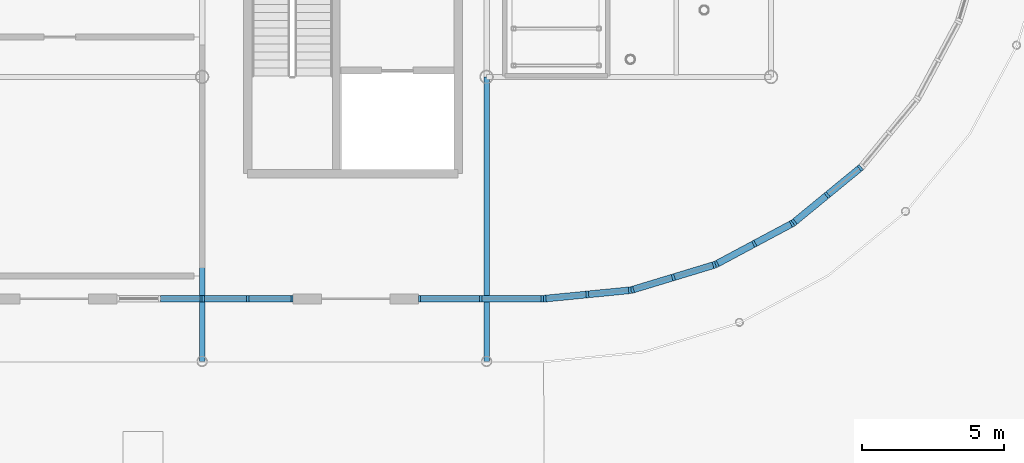
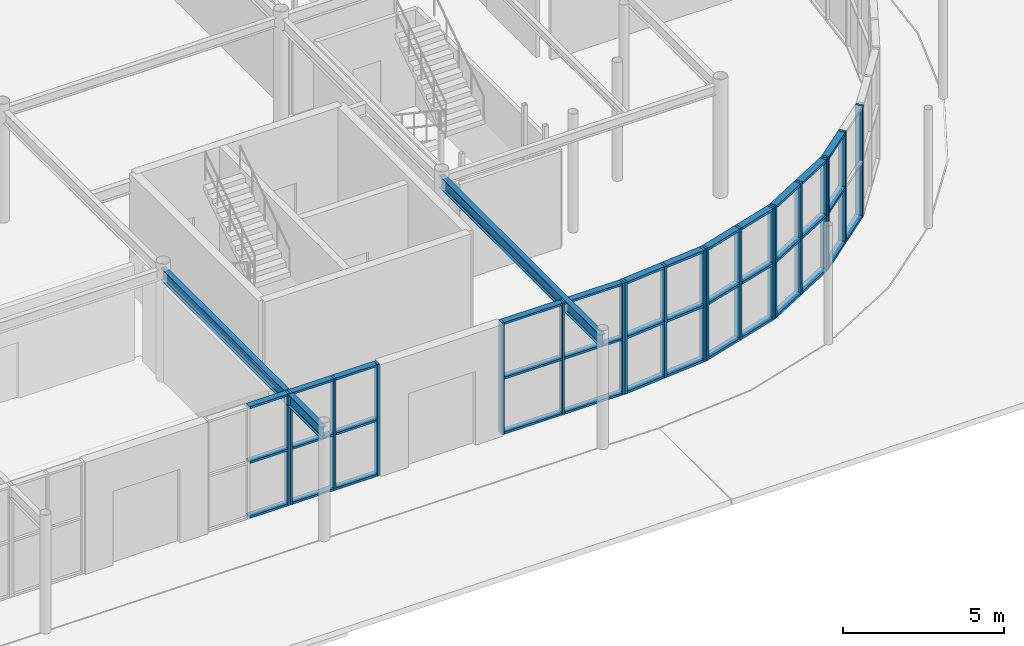
# One storey, part 64 of 119: 56 members, 2 beams, 7 elements without a shape of their own.
"""IFC4 building model written with IfcOpenShell, lengths in metres."""

from ifc_helpers import new_model, si_unit, derived_unit, direction, frame, origin, origin_2d_with_axis, place, context, subcontext, project, spatial, rectangle, i_section, extrude, material, material_profile, profile_set, type_object, element, aggregate, save


model = new_model("IFC4")

# Units and contexts
model_context = context("Model", 3, precision=1e-05, world=origin(), true_north=direction((0.0, 1.0)))
body_context = subcontext(model_context, "Body", "Model", "MODEL_VIEW")
ifc_project = project(units=[si_unit("LENGTHUNIT", "METRE"), si_unit("AREAUNIT", "SQUARE_METRE"), si_unit("VOLUMEUNIT", "CUBIC_METRE"), si_unit("PLANEANGLEUNIT", "RADIAN"), si_unit("MASSUNIT", "GRAM", prefix="KILO"), derived_unit("THERMALTRANSMITTANCEUNIT", [(si_unit("POWERUNIT", "WATT"), 1), (si_unit("LENGTHUNIT", "METRE"), -2), (si_unit("THERMODYNAMICTEMPERATUREUNIT", "KELVIN"), -1)])], contexts=[model_context])

# Site, building, storey
site_placement = place(None, origin())
site = spatial("IfcSite", under=ifc_project, at=site_placement, CompositionType="ELEMENT")
building_placement = place(site_placement, origin())
building = spatial("IfcBuilding", under=site, at=building_placement, Name="Cinnabar Yard Market Hall", CompositionType="ELEMENT")
storey_placement = place(building_placement, origin())
storey = spatial("IfcBuildingStorey", under=building, at=storey_placement, Name="L00", CompositionType="ELEMENT", Elevation=0.0)

# Beams
ifc_material_1 = material(Name="Steel Grade 300 (300 MPa)", Category="steel")
ifc_material_profile_1 = material_profile(ifc_material_1, i_section(OverallWidth=0.18994140625, OverallDepth=0.453857421875, WebThickness=0.008544921875, FlangeThickness=0.0126953125, FilletRadius=0.011474609375, at=origin_2d_with_axis()), Name="460UB67.1")
ifc_profile_set_1 = profile_set([ifc_material_profile_1], Name="Steel Grade 300 (300 MPa)")
beam_type = type_object("IfcBeamType", Name="BM-B05E", PredefinedType="BEAM", material=ifc_profile_set_1)
for number, where, z_axis, x_axis, name in (
    (1, (136.0, 24.0, 4.01318359375), (0.0, -1.0, 0.0), (1.0, 0.0, 0.0), "L00 Gallery South Tie 00192"),
    (2, (146.0, 24.0, 4.01318359375), (0.0, -1.0, 0.0), (1.0, 0.0, 0.0), "L00 Gallery South Tie 00194"),
):
    element("IfcBeam", number, at=place(storey_placement, frame(where, z_axis=z_axis, x_axis=x_axis)), inside=storey, type_object=beam_type, Name=name, PredefinedType="BEAM", context=body_context, shape_type="SweptSolid", body=[
        extrude(i_section(OverallWidth=0.18994140625, OverallDepth=0.453857421875, WebThickness=0.008544921875, FlangeThickness=0.0126953125, FilletRadius=0.011474609375, at=origin_2d_with_axis()), origin(), (0.0, 0.0, 1.0), 10.0),
    ])

# Curtain wall, members
ifc_material_2 = material(Name="Anodised bronze aluminium curved-chord facade", Category="aluminium")
curtain_wall_type_1 = type_object("IfcCurtainWallType", Name="CW-CWC031x42", PredefinedType="NOTDEFINED", material=ifc_material_2)
curtain_wall_1_placement = place(storey_placement, origin())
curtain_wall_1 = element("IfcCurtainWall", 3, at=curtain_wall_1_placement, inside=storey, type_object=curtain_wall_type_1, Name="Corner SE Chord 1 L00", PredefinedType="NOTDEFINED")
ifc_material_3 = material(Name="Anodised bronze aluminium", Category="aluminium")
ifc_material_profile_2 = material_profile(ifc_material_3, rectangle(XDim=0.239990234375, YDim=0.090087890625, at=origin_2d_with_axis()), Name="MUL-CWC")
ifc_profile_set_2 = profile_set([ifc_material_profile_2], Name="Anodised bronze aluminium")
member_type_1 = type_object("IfcMemberType", Name="CWM-CWC", PredefinedType="MULLION", material=ifc_profile_set_2)
member_1_placement = place(storey_placement, frame((148.044677734375, 16.204345703125, 0.0), z_axis=(0.0, 0.0, 1.0), x_axis=(-0.098020369342, 0.995184408637, 0.0)))
member_1 = element("IfcMember", 4, at=member_1_placement, type_object=member_type_1, Name="CWC031x42 mullion 1", PredefinedType="MULLION", context=body_context, shape_type="SweptSolid", body=[
    extrude(rectangle(XDim=0.239990234375, YDim=0.090087890625, at=origin_2d_with_axis()), origin(), (0.0, 0.0, 1.0), 4.239990234375),
])
member_2_placement = place(storey_placement, frame((149.541259765625, 16.351806640625, 0.0), z_axis=(0.0, 0.0, 1.0), x_axis=(-0.098020369342, 0.995184408637, 0.0)))
member_2 = element("IfcMember", 5, at=member_2_placement, type_object=member_type_1, Name="CWC031x42 mullion 2", PredefinedType="MULLION", context=body_context, shape_type="SweptSolid", body=[
    extrude(rectangle(XDim=0.239990234375, YDim=0.090087890625, at=origin_2d_with_axis()), origin(), (0.0, 0.0, 1.0), 4.239990234375),
])
member_3_placement = place(storey_placement, frame((151.03759765625, 16.499267578125, 0.0), z_axis=(0.0, 0.0, 1.0), x_axis=(-0.098020369342, 0.995184408637, 0.0)))
member_3 = element("IfcMember", 6, at=member_3_placement, type_object=member_type_1, Name="CWC031x42 mullion 3", PredefinedType="MULLION", context=body_context, shape_type="SweptSolid", body=[
    extrude(rectangle(XDim=0.239990234375, YDim=0.090087890625, at=origin_2d_with_axis()), origin(), (0.0, 0.0, 1.0), 4.239990234375),
])

curtain_wall_2_placement = place(storey_placement, origin())
curtain_wall_2 = element("IfcCurtainWall", 7, at=curtain_wall_2_placement, inside=storey, type_object=curtain_wall_type_1, Name="Corner SE Chord 2 L00", PredefinedType="NOTDEFINED")
member_4_placement = place(storey_placement, frame((151.12548828125, 16.5166015625, 0.0), z_axis=(0.0, 0.0, 1.0), x_axis=(-0.290278891325, 0.956942090856, 0.0)))
member_4 = element("IfcMember", 8, at=member_4_placement, type_object=member_type_1, Name="CWC031x42 mullion 1", PredefinedType="MULLION", context=body_context, shape_type="SweptSolid", body=[
    extrude(rectangle(XDim=0.239990234375, YDim=0.090087890625, at=origin_2d_with_axis()), origin(), (0.0, 0.0, 1.0), 4.239990234375),
])
member_5_placement = place(storey_placement, frame((152.564453125, 16.953125, 0.0), z_axis=(0.0, 0.0, 1.0), x_axis=(-0.290278891325, 0.956942090856, 0.0)))
member_5 = element("IfcMember", 9, at=member_5_placement, type_object=member_type_1, Name="CWC031x42 mullion 2", PredefinedType="MULLION", context=body_context, shape_type="SweptSolid", body=[
    extrude(rectangle(XDim=0.239990234375, YDim=0.090087890625, at=origin_2d_with_axis()), origin(), (0.0, 0.0, 1.0), 4.239990234375),
])
member_6_placement = place(storey_placement, frame((154.00341796875, 17.3896484375, 0.0), z_axis=(0.0, 0.0, 1.0), x_axis=(-0.290278891325, 0.956942090856, 0.0)))
member_6 = element("IfcMember", 10, at=member_6_placement, type_object=member_type_1, Name="CWC031x42 mullion 3", PredefinedType="MULLION", context=body_context, shape_type="SweptSolid", body=[
    extrude(rectangle(XDim=0.239990234375, YDim=0.090087890625, at=origin_2d_with_axis()), origin(), (0.0, 0.0, 1.0), 4.239990234375),
])

curtain_wall_3_placement = place(storey_placement, origin())
curtain_wall_3 = element("IfcCurtainWall", 11, at=curtain_wall_3_placement, inside=storey, type_object=curtain_wall_type_1, Name="Corner SE Chord 3 L00", PredefinedType="NOTDEFINED")
member_7_placement = place(storey_placement, frame((154.086181640625, 17.423828125, 0.0), z_axis=(0.0, 0.0, 1.0), x_axis=(-0.471404114786, 0.881917320707, 0.0)))
member_7 = element("IfcMember", 12, at=member_7_placement, type_object=member_type_1, Name="CWC031x42 mullion 1", PredefinedType="MULLION", context=body_context, shape_type="SweptSolid", body=[
    extrude(rectangle(XDim=0.239990234375, YDim=0.090087890625, at=origin_2d_with_axis()), origin(), (0.0, 0.0, 1.0), 4.239990234375),
])
member_8_placement = place(storey_placement, frame((155.412109375, 18.1328125, 0.0), z_axis=(0.0, 0.0, 1.0), x_axis=(-0.471404114786, 0.881917320707, 0.0)))
member_8 = element("IfcMember", 13, at=member_8_placement, type_object=member_type_1, Name="CWC031x42 mullion 2", PredefinedType="MULLION", context=body_context, shape_type="SweptSolid", body=[
    extrude(rectangle(XDim=0.239990234375, YDim=0.090087890625, at=origin_2d_with_axis()), origin(), (0.0, 0.0, 1.0), 4.239990234375),
])
member_9_placement = place(storey_placement, frame((156.73828125, 18.841552734375, 0.0), z_axis=(0.0, 0.0, 1.0), x_axis=(-0.471404114786, 0.881917320707, 0.0)))
member_9 = element("IfcMember", 14, at=member_9_placement, type_object=member_type_1, Name="CWC031x42 mullion 3", PredefinedType="MULLION", context=body_context, shape_type="SweptSolid", body=[
    extrude(rectangle(XDim=0.239990234375, YDim=0.090087890625, at=origin_2d_with_axis()), origin(), (0.0, 0.0, 1.0), 4.239990234375),
])

curtain_wall_4_placement = place(storey_placement, origin())
curtain_wall_4 = element("IfcCurtainWall", 15, at=curtain_wall_4_placement, inside=storey, type_object=curtain_wall_type_1, Name="Corner SE Chord 4 L00", PredefinedType="NOTDEFINED")
member_10_placement = place(storey_placement, frame((156.812744140625, 18.891357421875, 0.0), z_axis=(0.0, 0.0, 1.0), x_axis=(-0.634383400924, 0.773018564222, 0.0)))
member_10 = element("IfcMember", 16, at=member_10_placement, type_object=member_type_1, Name="CWC031x42 mullion 1", PredefinedType="MULLION", context=body_context, shape_type="SweptSolid", body=[
    extrude(rectangle(XDim=0.239990234375, YDim=0.090087890625, at=origin_2d_with_axis()), origin(), (0.0, 0.0, 1.0), 4.239990234375),
])
member_11_placement = place(storey_placement, frame((157.97509765625, 19.84521484375, 0.0), z_axis=(0.0, 0.0, 1.0), x_axis=(-0.634383400924, 0.773018564222, 0.0)))
member_11 = element("IfcMember", 17, at=member_11_placement, type_object=member_type_1, Name="CWC031x42 mullion 2", PredefinedType="MULLION", context=body_context, shape_type="SweptSolid", body=[
    extrude(rectangle(XDim=0.239990234375, YDim=0.090087890625, at=origin_2d_with_axis()), origin(), (0.0, 0.0, 1.0), 4.239990234375),
])
member_12_placement = place(storey_placement, frame((159.137451171875, 20.799072265625, 0.0), z_axis=(0.0, 0.0, 1.0), x_axis=(-0.634383400924, 0.773018564222, 0.0)))
member_12 = element("IfcMember", 18, at=member_12_placement, type_object=member_type_1, Name="CWC031x42 mullion 3", PredefinedType="MULLION", context=body_context, shape_type="SweptSolid", body=[
    extrude(rectangle(XDim=0.239990234375, YDim=0.090087890625, at=origin_2d_with_axis()), origin(), (0.0, 0.0, 1.0), 4.239990234375),
])

# Curtain wall, member
ifc_material_4 = material(Name="Anodised bronze aluminium and low-E glass", Category="aluminium")
curtain_wall_type_2 = type_object("IfcCurtainWallType", Name="CW-CWH030x42", PredefinedType="NOTDEFINED", material=ifc_material_4)
curtain_wall_5_placement = place(storey_placement, origin())
curtain_wall_5 = element("IfcCurtainWall", 19, at=curtain_wall_5_placement, inside=storey, type_object=curtain_wall_type_2, Name="Market Hall South Ground Glazing B5B", PredefinedType="NOTDEFINED")
ifc_material_profile_3 = material_profile(ifc_material_3, rectangle(XDim=0.219970703125, YDim=0.080078125, at=origin_2d_with_axis()), Name="MUL-CWH")
ifc_profile_set_3 = profile_set([ifc_material_profile_3], Name="Anodised bronze aluminium")
member_type_2 = type_object("IfcMemberType", Name="CWM-CWH", PredefinedType="MULLION", material=ifc_profile_set_3)
member_13_placement = place(storey_placement, frame((135.9599609375, 16.199951171875, 0.0), z_axis=(0.0, 0.0, 1.0), x_axis=(0.0, 1.0, 0.0)))
member_13 = element("IfcMember", 20, at=member_13_placement, type_object=member_type_2, Name="CWH030x42 mullion 3", PredefinedType="MULLION", context=body_context, shape_type="SweptSolid", body=[
    extrude(rectangle(XDim=0.219970703125, YDim=0.080078125, at=origin_2d_with_axis()), origin(), (0.0, 0.0, 1.0), 4.239990234375),
])

# Curtain wall, members
curtain_wall_type_3 = type_object("IfcCurtainWallType", Name="CW-CWH032x42", PredefinedType="NOTDEFINED", material=ifc_material_4)
curtain_wall_6_placement = place(storey_placement, origin())
curtain_wall_6 = element("IfcCurtainWall", 21, at=curtain_wall_6_placement, inside=storey, type_object=curtain_wall_type_3, Name="Market Hall South Ground Glazing B6A", PredefinedType="NOTDEFINED")
member_14_placement = place(storey_placement, frame((136.0400390625, 16.199951171875, 0.0), z_axis=(0.0, 0.0, 1.0), x_axis=(0.0, 1.0, 0.0)))
member_14 = element("IfcMember", 22, at=member_14_placement, type_object=member_type_2, Name="CWH032x42 mullion 1", PredefinedType="MULLION", context=body_context, shape_type="SweptSolid", body=[
    extrude(rectangle(XDim=0.219970703125, YDim=0.080078125, at=origin_2d_with_axis()), origin(), (0.0, 0.0, 1.0), 4.239990234375),
])
member_15_placement = place(storey_placement, frame((137.60009765625, 16.199951171875, 0.0), z_axis=(0.0, 0.0, 1.0), x_axis=(0.0, 1.0, 0.0)))
member_15 = element("IfcMember", 23, at=member_15_placement, type_object=member_type_2, Name="CWH032x42 mullion 2", PredefinedType="MULLION", context=body_context, shape_type="SweptSolid", body=[
    extrude(rectangle(XDim=0.219970703125, YDim=0.080078125, at=origin_2d_with_axis()), origin(), (0.0, 0.0, 1.0), 4.239990234375),
])
member_16_placement = place(storey_placement, frame((139.159912109375, 16.199951171875, 0.0), z_axis=(0.0, 0.0, 1.0), x_axis=(0.0, 1.0, 0.0)))
member_16 = element("IfcMember", 24, at=member_16_placement, type_object=member_type_2, Name="CWH032x42 mullion 3", PredefinedType="MULLION", context=body_context, shape_type="SweptSolid", body=[
    extrude(rectangle(XDim=0.219970703125, YDim=0.080078125, at=origin_2d_with_axis()), origin(), (0.0, 0.0, 1.0), 4.239990234375),
])

curtain_wall_type_4 = type_object("IfcCurtainWallType", Name="CW-CWH044x42", PredefinedType="NOTDEFINED", material=ifc_material_4)
curtain_wall_7_placement = place(storey_placement, origin())
curtain_wall_7 = element("IfcCurtainWall", 25, at=curtain_wall_7_placement, inside=storey, type_object=curtain_wall_type_4, Name="Market Hall South Ground Glazing B6B", PredefinedType="NOTDEFINED")
member_17_placement = place(storey_placement, frame((143.639892578125, 16.199951171875, 0.0), z_axis=(0.0, 0.0, 1.0), x_axis=(0.0, 1.0, 0.0)))
member_17 = element("IfcMember", 26, at=member_17_placement, type_object=member_type_2, Name="CWH044x42 mullion 1", PredefinedType="MULLION", context=body_context, shape_type="SweptSolid", body=[
    extrude(rectangle(XDim=0.219970703125, YDim=0.080078125, at=origin_2d_with_axis()), origin(), (0.0, 0.0, 1.0), 4.239990234375),
])
member_18_placement = place(storey_placement, frame((145.800048828125, 16.199951171875, 0.0), z_axis=(0.0, 0.0, 1.0), x_axis=(0.0, 1.0, 0.0)))
member_18 = element("IfcMember", 27, at=member_18_placement, type_object=member_type_2, Name="CWH044x42 mullion 2", PredefinedType="MULLION", context=body_context, shape_type="SweptSolid", body=[
    extrude(rectangle(XDim=0.219970703125, YDim=0.080078125, at=origin_2d_with_axis()), origin(), (0.0, 0.0, 1.0), 4.239990234375),
])
member_19_placement = place(storey_placement, frame((147.9599609375, 16.199951171875, 0.0), z_axis=(0.0, 0.0, 1.0), x_axis=(0.0, 1.0, 0.0)))
member_19 = element("IfcMember", 28, at=member_19_placement, type_object=member_type_2, Name="CWH044x42 mullion 3", PredefinedType="MULLION", context=body_context, shape_type="SweptSolid", body=[
    extrude(rectangle(XDim=0.219970703125, YDim=0.080078125, at=origin_2d_with_axis()), origin(), (0.0, 0.0, 1.0), 4.239990234375),
])

# Member
ifc_material_profile_4 = material_profile(ifc_material_3, rectangle(XDim=0.239990234375, YDim=0.090087890625, at=origin_2d_with_axis()), Name="TRN-CWC")
ifc_profile_set_4 = profile_set([ifc_material_profile_4], Name="Anodised bronze aluminium")
member_type_3 = type_object("IfcMemberType", Name="CWT-CWC", PredefinedType="USERDEFINED", material=ifc_profile_set_4)
member_20_placement = place(storey_placement, frame((148.089599609375, 16.208740234375, 0.044921875), z_axis=(0.995176425197, 0.098101390058, 0.0), x_axis=(-0.098101390058, 0.995176425197, 0.0)))
member_20 = element("IfcMember", 29, at=member_20_placement, type_object=member_type_3, Name="CWC031x42 transom 1.1", ObjectType="TRANSOM", PredefinedType="USERDEFINED", context=body_context, shape_type="SweptSolid", body=[
    extrude(rectangle(XDim=0.239990234375, YDim=0.090087890625, at=origin_2d_with_axis()), origin(), (0.0, 0.0, 1.0), 1.41357421875),
])

member_21_placement = place(storey_placement, frame((148.089599609375, 16.208740234375, 2.1201171875), z_axis=(0.995176425197, 0.098101390058, 0.0), x_axis=(-0.098101390058, 0.995176425197, 0.0)))
member_21 = element("IfcMember", 30, at=member_21_placement, type_object=member_type_3, Name="CWC031x42 transom 1.2", ObjectType="TRANSOM", PredefinedType="USERDEFINED", context=body_context, shape_type="SweptSolid", body=[
    extrude(rectangle(XDim=0.239990234375, YDim=0.090087890625, at=origin_2d_with_axis()), origin(), (0.0, 0.0, 1.0), 1.41357421875),
])

member_22_placement = place(storey_placement, frame((148.089599609375, 16.208740234375, 4.195068359375), z_axis=(0.995176425197, 0.098101390058, 0.0), x_axis=(-0.098101390058, 0.995176425197, 0.0)))
member_22 = element("IfcMember", 31, at=member_22_placement, type_object=member_type_3, Name="CWC031x42 transom 1.3", ObjectType="TRANSOM", PredefinedType="USERDEFINED", context=body_context, shape_type="SweptSolid", body=[
    extrude(rectangle(XDim=0.239990234375, YDim=0.090087890625, at=origin_2d_with_axis()), origin(), (0.0, 0.0, 1.0), 1.41357421875),
])

member_23_placement = place(storey_placement, frame((149.5859375, 16.356201171875, 0.044921875), z_axis=(0.995178086946, 0.098084531214, 0.0), x_axis=(-0.098084531214, 0.995178086946, 0.0)))
member_23 = element("IfcMember", 32, at=member_23_placement, type_object=member_type_3, Name="CWC031x42 transom 2.1", ObjectType="TRANSOM", PredefinedType="USERDEFINED", context=body_context, shape_type="SweptSolid", body=[
    extrude(rectangle(XDim=0.239990234375, YDim=0.090087890625, at=origin_2d_with_axis()), origin(), (0.0, 0.0, 1.0), 1.413818359375),
])

member_24_placement = place(storey_placement, frame((149.5859375, 16.356201171875, 2.1201171875), z_axis=(0.995178086946, 0.098084531214, 0.0), x_axis=(-0.098084531214, 0.995178086946, 0.0)))
member_24 = element("IfcMember", 33, at=member_24_placement, type_object=member_type_3, Name="CWC031x42 transom 2.2", ObjectType="TRANSOM", PredefinedType="USERDEFINED", context=body_context, shape_type="SweptSolid", body=[
    extrude(rectangle(XDim=0.239990234375, YDim=0.090087890625, at=origin_2d_with_axis()), origin(), (0.0, 0.0, 1.0), 1.413818359375),
])

member_25_placement = place(storey_placement, frame((149.5859375, 16.356201171875, 4.195068359375), z_axis=(0.995178086946, 0.098084531214, 0.0), x_axis=(-0.098084531214, 0.995178086946, 0.0)))
member_25 = element("IfcMember", 34, at=member_25_placement, type_object=member_type_3, Name="CWC031x42 transom 2.3", ObjectType="TRANSOM", PredefinedType="USERDEFINED", context=body_context, shape_type="SweptSolid", body=[
    extrude(rectangle(XDim=0.239990234375, YDim=0.090087890625, at=origin_2d_with_axis()), origin(), (0.0, 0.0, 1.0), 1.413818359375),
])

aggregate(curtain_wall_1, [member_1, member_2, member_3, member_20, member_21, member_22, member_23, member_24, member_25])

member_26_placement = place(storey_placement, frame((151.16845703125, 16.52978515625, 0.044921875), z_axis=(0.956932850279, 0.290309352341, 0.0), x_axis=(-0.290309352341, 0.956932850279, 0.0)))
member_26 = element("IfcMember", 35, at=member_26_placement, type_object=member_type_3, Name="CWC031x42 transom 1.1", ObjectType="TRANSOM", PredefinedType="USERDEFINED", context=body_context, shape_type="SweptSolid", body=[
    extrude(rectangle(XDim=0.239990234375, YDim=0.090087890625, at=origin_2d_with_axis()), origin(), (0.0, 0.0, 1.0), 1.41357421875),
])

member_27_placement = place(storey_placement, frame((151.16845703125, 16.52978515625, 2.1201171875), z_axis=(0.956932850279, 0.290309352341, 0.0), x_axis=(-0.290309352341, 0.956932850279, 0.0)))
member_27 = element("IfcMember", 36, at=member_27_placement, type_object=member_type_3, Name="CWC031x42 transom 1.2", ObjectType="TRANSOM", PredefinedType="USERDEFINED", context=body_context, shape_type="SweptSolid", body=[
    extrude(rectangle(XDim=0.239990234375, YDim=0.090087890625, at=origin_2d_with_axis()), origin(), (0.0, 0.0, 1.0), 1.41357421875),
])

member_28_placement = place(storey_placement, frame((151.16845703125, 16.52978515625, 4.195068359375), z_axis=(0.956932850279, 0.290309352341, 0.0), x_axis=(-0.290309352341, 0.956932850279, 0.0)))
member_28 = element("IfcMember", 37, at=member_28_placement, type_object=member_type_3, Name="CWC031x42 transom 1.3", ObjectType="TRANSOM", PredefinedType="USERDEFINED", context=body_context, shape_type="SweptSolid", body=[
    extrude(rectangle(XDim=0.239990234375, YDim=0.090087890625, at=origin_2d_with_axis()), origin(), (0.0, 0.0, 1.0), 1.41357421875),
])

member_29_placement = place(storey_placement, frame((152.607421875, 16.96630859375, 0.044921875), z_axis=(0.956980816915, 0.290151195166, 0.0), x_axis=(-0.290151195166, 0.956980816915, 0.0)))
member_29 = element("IfcMember", 38, at=member_29_placement, type_object=member_type_3, Name="CWC031x42 transom 2.1", ObjectType="TRANSOM", PredefinedType="USERDEFINED", context=body_context, shape_type="SweptSolid", body=[
    extrude(rectangle(XDim=0.239990234375, YDim=0.090087890625, at=origin_2d_with_axis()), origin(), (0.0, 0.0, 1.0), 1.41357421875),
])

member_30_placement = place(storey_placement, frame((152.607421875, 16.96630859375, 2.1201171875), z_axis=(0.956980816915, 0.290151195166, 0.0), x_axis=(-0.290151195166, 0.956980816915, 0.0)))
member_30 = element("IfcMember", 39, at=member_30_placement, type_object=member_type_3, Name="CWC031x42 transom 2.2", ObjectType="TRANSOM", PredefinedType="USERDEFINED", context=body_context, shape_type="SweptSolid", body=[
    extrude(rectangle(XDim=0.239990234375, YDim=0.090087890625, at=origin_2d_with_axis()), origin(), (0.0, 0.0, 1.0), 1.41357421875),
])

member_31_placement = place(storey_placement, frame((152.607421875, 16.96630859375, 4.195068359375), z_axis=(0.956980816915, 0.290151195166, 0.0), x_axis=(-0.290151195166, 0.956980816915, 0.0)))
member_31 = element("IfcMember", 40, at=member_31_placement, type_object=member_type_3, Name="CWC031x42 transom 2.3", ObjectType="TRANSOM", PredefinedType="USERDEFINED", context=body_context, shape_type="SweptSolid", body=[
    extrude(rectangle(XDim=0.239990234375, YDim=0.090087890625, at=origin_2d_with_axis()), origin(), (0.0, 0.0, 1.0), 1.41357421875),
])

aggregate(curtain_wall_2, [member_4, member_5, member_6, member_26, member_27, member_28, member_29, member_30, member_31])

member_32_placement = place(storey_placement, frame((154.125732421875, 17.445068359375, 0.044921875), z_axis=(0.881903198965, 0.471430533224, 0.0), x_axis=(-0.471430533224, 0.881903198965, 0.0)))
member_32 = element("IfcMember", 41, at=member_32_placement, type_object=member_type_3, Name="CWC031x42 transom 1.1", ObjectType="TRANSOM", PredefinedType="USERDEFINED", context=body_context, shape_type="SweptSolid", body=[
    extrude(rectangle(XDim=0.239990234375, YDim=0.090087890625, at=origin_2d_with_axis()), origin(), (0.0, 0.0, 1.0), 1.413818359375),
])

member_33_placement = place(storey_placement, frame((154.125732421875, 17.445068359375, 2.1201171875), z_axis=(0.881903198965, 0.471430533224, 0.0), x_axis=(-0.471430533224, 0.881903198965, 0.0)))
member_33 = element("IfcMember", 42, at=member_33_placement, type_object=member_type_3, Name="CWC031x42 transom 1.2", ObjectType="TRANSOM", PredefinedType="USERDEFINED", context=body_context, shape_type="SweptSolid", body=[
    extrude(rectangle(XDim=0.239990234375, YDim=0.090087890625, at=origin_2d_with_axis()), origin(), (0.0, 0.0, 1.0), 1.413818359375),
])

member_34_placement = place(storey_placement, frame((154.125732421875, 17.445068359375, 4.195068359375), z_axis=(0.881903198965, 0.471430533224, 0.0), x_axis=(-0.471430533224, 0.881903198965, 0.0)))
member_34 = element("IfcMember", 43, at=member_34_placement, type_object=member_type_3, Name="CWC031x42 transom 1.3", ObjectType="TRANSOM", PredefinedType="USERDEFINED", context=body_context, shape_type="SweptSolid", body=[
    extrude(rectangle(XDim=0.239990234375, YDim=0.090087890625, at=origin_2d_with_axis()), origin(), (0.0, 0.0, 1.0), 1.413818359375),
])

member_35_placement = place(storey_placement, frame((155.451904296875, 18.154052734375, 0.044921875), z_axis=(0.881974989496, 0.471296210365, 0.0), x_axis=(-0.471296210365, 0.881974989496, 0.0)))
member_35 = element("IfcMember", 44, at=member_35_placement, type_object=member_type_3, Name="CWC031x42 transom 2.1", ObjectType="TRANSOM", PredefinedType="USERDEFINED", context=body_context, shape_type="SweptSolid", body=[
    extrude(rectangle(XDim=0.239990234375, YDim=0.090087890625, at=origin_2d_with_axis()), origin(), (0.0, 0.0, 1.0), 1.41357421875),
])

member_36_placement = place(storey_placement, frame((155.451904296875, 18.154052734375, 2.1201171875), z_axis=(0.881974989496, 0.471296210365, 0.0), x_axis=(-0.471296210365, 0.881974989496, 0.0)))
member_36 = element("IfcMember", 45, at=member_36_placement, type_object=member_type_3, Name="CWC031x42 transom 2.2", ObjectType="TRANSOM", PredefinedType="USERDEFINED", context=body_context, shape_type="SweptSolid", body=[
    extrude(rectangle(XDim=0.239990234375, YDim=0.090087890625, at=origin_2d_with_axis()), origin(), (0.0, 0.0, 1.0), 1.41357421875),
])

member_37_placement = place(storey_placement, frame((155.451904296875, 18.154052734375, 4.195068359375), z_axis=(0.881974989496, 0.471296210365, 0.0), x_axis=(-0.471296210365, 0.881974989496, 0.0)))
member_37 = element("IfcMember", 46, at=member_37_placement, type_object=member_type_3, Name="CWC031x42 transom 2.3", ObjectType="TRANSOM", PredefinedType="USERDEFINED", context=body_context, shape_type="SweptSolid", body=[
    extrude(rectangle(XDim=0.239990234375, YDim=0.090087890625, at=origin_2d_with_axis()), origin(), (0.0, 0.0, 1.0), 1.41357421875),
])

aggregate(curtain_wall_3, [member_7, member_8, member_9, member_32, member_33, member_34, member_35, member_36, member_37])

member_38_placement = place(storey_placement, frame((156.84765625, 18.919921875, 0.044921875), z_axis=(0.773040795861, 0.634356309919, 0.0), x_axis=(-0.634356309919, 0.773040795861, 0.0)))
member_38 = element("IfcMember", 47, at=member_38_placement, type_object=member_type_3, Name="CWC031x42 transom 1.1", ObjectType="TRANSOM", PredefinedType="USERDEFINED", context=body_context, shape_type="SweptSolid", body=[
    extrude(rectangle(XDim=0.239990234375, YDim=0.090087890625, at=origin_2d_with_axis()), origin(), (0.0, 0.0, 1.0), 1.41357421875),
])

member_39_placement = place(storey_placement, frame((156.84765625, 18.919921875, 2.1201171875), z_axis=(0.773040795861, 0.634356309919, 0.0), x_axis=(-0.634356309919, 0.773040795861, 0.0)))
member_39 = element("IfcMember", 48, at=member_39_placement, type_object=member_type_3, Name="CWC031x42 transom 1.2", ObjectType="TRANSOM", PredefinedType="USERDEFINED", context=body_context, shape_type="SweptSolid", body=[
    extrude(rectangle(XDim=0.239990234375, YDim=0.090087890625, at=origin_2d_with_axis()), origin(), (0.0, 0.0, 1.0), 1.41357421875),
])

member_40_placement = place(storey_placement, frame((156.84765625, 18.919921875, 4.195068359375), z_axis=(0.773040795861, 0.634356309919, 0.0), x_axis=(-0.634356309919, 0.773040795861, 0.0)))
member_40 = element("IfcMember", 49, at=member_40_placement, type_object=member_type_3, Name="CWC031x42 transom 1.3", ObjectType="TRANSOM", PredefinedType="USERDEFINED", context=body_context, shape_type="SweptSolid", body=[
    extrude(rectangle(XDim=0.239990234375, YDim=0.090087890625, at=origin_2d_with_axis()), origin(), (0.0, 0.0, 1.0), 1.41357421875),
])

member_41_placement = place(storey_placement, frame((158.010009765625, 19.873779296875, 0.044921875), z_axis=(0.773040795861, 0.634356309919, 0.0), x_axis=(-0.634356309919, 0.773040795861, 0.0)))
member_41 = element("IfcMember", 50, at=member_41_placement, type_object=member_type_3, Name="CWC031x42 transom 2.1", ObjectType="TRANSOM", PredefinedType="USERDEFINED", context=body_context, shape_type="SweptSolid", body=[
    extrude(rectangle(XDim=0.239990234375, YDim=0.090087890625, at=origin_2d_with_axis()), origin(), (0.0, 0.0, 1.0), 1.41357421875),
])

aggregate(curtain_wall_4, [member_10, member_11, member_12, member_38, member_39, member_40, member_41])

ifc_material_profile_5 = material_profile(ifc_material_3, rectangle(XDim=0.219970703125, YDim=0.080078125, at=origin_2d_with_axis()), Name="TRN-CWH")
ifc_profile_set_5 = profile_set([ifc_material_profile_5], Name="Anodised bronze aluminium")
member_type_4 = type_object("IfcMemberType", Name="CWT-CWH", PredefinedType="USERDEFINED", material=ifc_profile_set_5)
member_42_placement = place(storey_placement, frame((134.5400390625, 16.199951171875, 0.0400390625), z_axis=(1.0, 0.0, 0.0), x_axis=(0.0, 1.0, 0.0)))
member_42 = element("IfcMember", 51, at=member_42_placement, type_object=member_type_4, Name="CWH030x42 transom 2.1", ObjectType="TRANSOM", PredefinedType="USERDEFINED", context=body_context, shape_type="SweptSolid", body=[
    extrude(rectangle(XDim=0.219970703125, YDim=0.080078125, at=origin_2d_with_axis()), origin(), (0.0, 0.0, 1.0), 1.3798828125),
])

member_43_placement = place(storey_placement, frame((134.5400390625, 16.199951171875, 2.1201171875), z_axis=(1.0, 0.0, 0.0), x_axis=(0.0, 1.0, 0.0)))
member_43 = element("IfcMember", 52, at=member_43_placement, type_object=member_type_4, Name="CWH030x42 transom 2.2", ObjectType="TRANSOM", PredefinedType="USERDEFINED", context=body_context, shape_type="SweptSolid", body=[
    extrude(rectangle(XDim=0.219970703125, YDim=0.080078125, at=origin_2d_with_axis()), origin(), (0.0, 0.0, 1.0), 1.3798828125),
])

member_44_placement = place(storey_placement, frame((134.5400390625, 16.199951171875, 4.199951171875), z_axis=(1.0, 0.0, 0.0), x_axis=(0.0, 1.0, 0.0)))
member_44 = element("IfcMember", 53, at=member_44_placement, type_object=member_type_4, Name="CWH030x42 transom 2.3", ObjectType="TRANSOM", PredefinedType="USERDEFINED", context=body_context, shape_type="SweptSolid", body=[
    extrude(rectangle(XDim=0.219970703125, YDim=0.080078125, at=origin_2d_with_axis()), origin(), (0.0, 0.0, 1.0), 1.3798828125),
])

aggregate(curtain_wall_5, [member_13, member_42, member_43, member_44])

member_45_placement = place(storey_placement, frame((136.080078125, 16.199951171875, 0.0400390625), z_axis=(1.0, 0.0, 0.0), x_axis=(0.0, 1.0, 0.0)))
member_45 = element("IfcMember", 54, at=member_45_placement, type_object=member_type_4, Name="CWH032x42 transom 1.1", ObjectType="TRANSOM", PredefinedType="USERDEFINED", context=body_context, shape_type="SweptSolid", body=[
    extrude(rectangle(XDim=0.219970703125, YDim=0.080078125, at=origin_2d_with_axis()), origin(), (0.0, 0.0, 1.0), 1.47998046875),
])

member_46_placement = place(storey_placement, frame((136.080078125, 16.199951171875, 2.1201171875), z_axis=(1.0, 0.0, 0.0), x_axis=(0.0, 1.0, 0.0)))
member_46 = element("IfcMember", 55, at=member_46_placement, type_object=member_type_4, Name="CWH032x42 transom 1.2", ObjectType="TRANSOM", PredefinedType="USERDEFINED", context=body_context, shape_type="SweptSolid", body=[
    extrude(rectangle(XDim=0.219970703125, YDim=0.080078125, at=origin_2d_with_axis()), origin(), (0.0, 0.0, 1.0), 1.47998046875),
])

member_47_placement = place(storey_placement, frame((136.080078125, 16.199951171875, 4.199951171875), z_axis=(1.0, 0.0, 0.0), x_axis=(0.0, 1.0, 0.0)))
member_47 = element("IfcMember", 56, at=member_47_placement, type_object=member_type_4, Name="CWH032x42 transom 1.3", ObjectType="TRANSOM", PredefinedType="USERDEFINED", context=body_context, shape_type="SweptSolid", body=[
    extrude(rectangle(XDim=0.219970703125, YDim=0.080078125, at=origin_2d_with_axis()), origin(), (0.0, 0.0, 1.0), 1.47998046875),
])

member_48_placement = place(storey_placement, frame((137.639892578125, 16.199951171875, 0.0400390625), z_axis=(1.0, 0.0, 0.0), x_axis=(0.0, 1.0, 0.0)))
member_48 = element("IfcMember", 57, at=member_48_placement, type_object=member_type_4, Name="CWH032x42 transom 2.1", ObjectType="TRANSOM", PredefinedType="USERDEFINED", context=body_context, shape_type="SweptSolid", body=[
    extrude(rectangle(XDim=0.219970703125, YDim=0.080078125, at=origin_2d_with_axis()), origin(), (0.0, 0.0, 1.0), 1.480224609375),
])

member_49_placement = place(storey_placement, frame((137.639892578125, 16.199951171875, 2.1201171875), z_axis=(1.0, 0.0, 0.0), x_axis=(0.0, 1.0, 0.0)))
member_49 = element("IfcMember", 58, at=member_49_placement, type_object=member_type_4, Name="CWH032x42 transom 2.2", ObjectType="TRANSOM", PredefinedType="USERDEFINED", context=body_context, shape_type="SweptSolid", body=[
    extrude(rectangle(XDim=0.219970703125, YDim=0.080078125, at=origin_2d_with_axis()), origin(), (0.0, 0.0, 1.0), 1.480224609375),
])

member_50_placement = place(storey_placement, frame((137.639892578125, 16.199951171875, 4.199951171875), z_axis=(1.0, 0.0, 0.0), x_axis=(0.0, 1.0, 0.0)))
member_50 = element("IfcMember", 59, at=member_50_placement, type_object=member_type_4, Name="CWH032x42 transom 2.3", ObjectType="TRANSOM", PredefinedType="USERDEFINED", context=body_context, shape_type="SweptSolid", body=[
    extrude(rectangle(XDim=0.219970703125, YDim=0.080078125, at=origin_2d_with_axis()), origin(), (0.0, 0.0, 1.0), 1.480224609375),
])

aggregate(curtain_wall_6, [member_14, member_15, member_16, member_45, member_46, member_47, member_48, member_49, member_50])

member_51_placement = place(storey_placement, frame((143.679931640625, 16.199951171875, 0.0400390625), z_axis=(1.0, 0.0, 0.0), x_axis=(0.0, 1.0, 0.0)))
member_51 = element("IfcMember", 60, at=member_51_placement, type_object=member_type_4, Name="CWH044x42 transom 1.1", ObjectType="TRANSOM", PredefinedType="USERDEFINED", context=body_context, shape_type="SweptSolid", body=[
    extrude(rectangle(XDim=0.219970703125, YDim=0.080078125, at=origin_2d_with_axis()), origin(), (0.0, 0.0, 1.0), 2.080078125),
])

member_52_placement = place(storey_placement, frame((143.679931640625, 16.199951171875, 2.1201171875), z_axis=(1.0, 0.0, 0.0), x_axis=(0.0, 1.0, 0.0)))
member_52 = element("IfcMember", 61, at=member_52_placement, type_object=member_type_4, Name="CWH044x42 transom 1.2", ObjectType="TRANSOM", PredefinedType="USERDEFINED", context=body_context, shape_type="SweptSolid", body=[
    extrude(rectangle(XDim=0.219970703125, YDim=0.080078125, at=origin_2d_with_axis()), origin(), (0.0, 0.0, 1.0), 2.080078125),
])

member_53_placement = place(storey_placement, frame((143.679931640625, 16.199951171875, 4.199951171875), z_axis=(1.0, 0.0, 0.0), x_axis=(0.0, 1.0, 0.0)))
member_53 = element("IfcMember", 62, at=member_53_placement, type_object=member_type_4, Name="CWH044x42 transom 1.3", ObjectType="TRANSOM", PredefinedType="USERDEFINED", context=body_context, shape_type="SweptSolid", body=[
    extrude(rectangle(XDim=0.219970703125, YDim=0.080078125, at=origin_2d_with_axis()), origin(), (0.0, 0.0, 1.0), 2.080078125),
])

member_54_placement = place(storey_placement, frame((145.840087890625, 16.199951171875, 0.0400390625), z_axis=(1.0, 0.0, 0.0), x_axis=(0.0, 1.0, 0.0)))
member_54 = element("IfcMember", 63, at=member_54_placement, type_object=member_type_4, Name="CWH044x42 transom 2.1", ObjectType="TRANSOM", PredefinedType="USERDEFINED", context=body_context, shape_type="SweptSolid", body=[
    extrude(rectangle(XDim=0.219970703125, YDim=0.080078125, at=origin_2d_with_axis()), origin(), (0.0, 0.0, 1.0), 2.079833984375),
])

member_55_placement = place(storey_placement, frame((145.840087890625, 16.199951171875, 2.1201171875), z_axis=(1.0, 0.0, 0.0), x_axis=(0.0, 1.0, 0.0)))
member_55 = element("IfcMember", 64, at=member_55_placement, type_object=member_type_4, Name="CWH044x42 transom 2.2", ObjectType="TRANSOM", PredefinedType="USERDEFINED", context=body_context, shape_type="SweptSolid", body=[
    extrude(rectangle(XDim=0.219970703125, YDim=0.080078125, at=origin_2d_with_axis()), origin(), (0.0, 0.0, 1.0), 2.079833984375),
])

member_56_placement = place(storey_placement, frame((145.840087890625, 16.199951171875, 4.199951171875), z_axis=(1.0, 0.0, 0.0), x_axis=(0.0, 1.0, 0.0)))
member_56 = element("IfcMember", 65, at=member_56_placement, type_object=member_type_4, Name="CWH044x42 transom 2.3", ObjectType="TRANSOM", PredefinedType="USERDEFINED", context=body_context, shape_type="SweptSolid", body=[
    extrude(rectangle(XDim=0.219970703125, YDim=0.080078125, at=origin_2d_with_axis()), origin(), (0.0, 0.0, 1.0), 2.079833984375),
])

aggregate(curtain_wall_7, [member_17, member_18, member_19, member_51, member_52, member_53, member_54, member_55, member_56])

save(model, "model.ifc")
